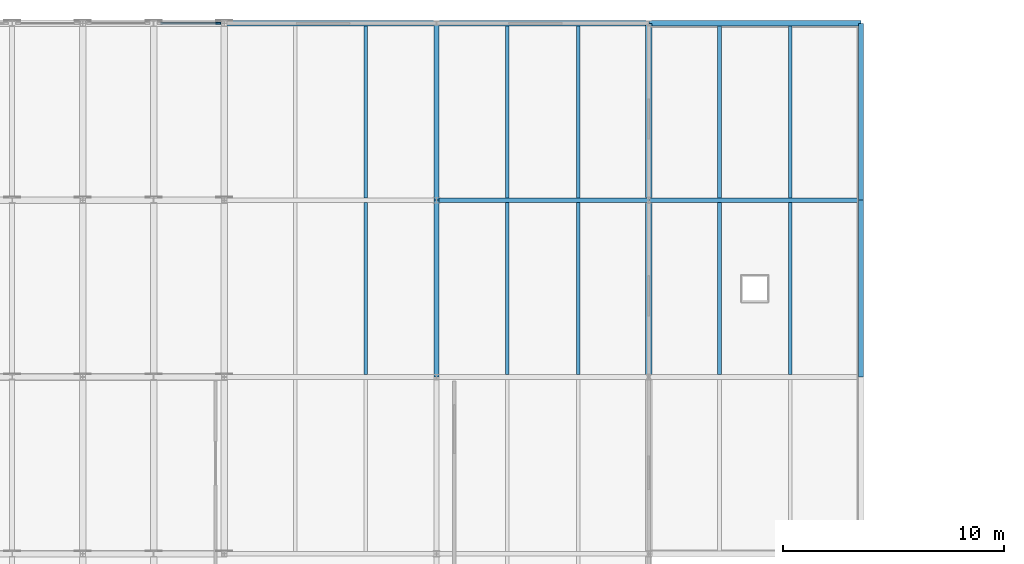
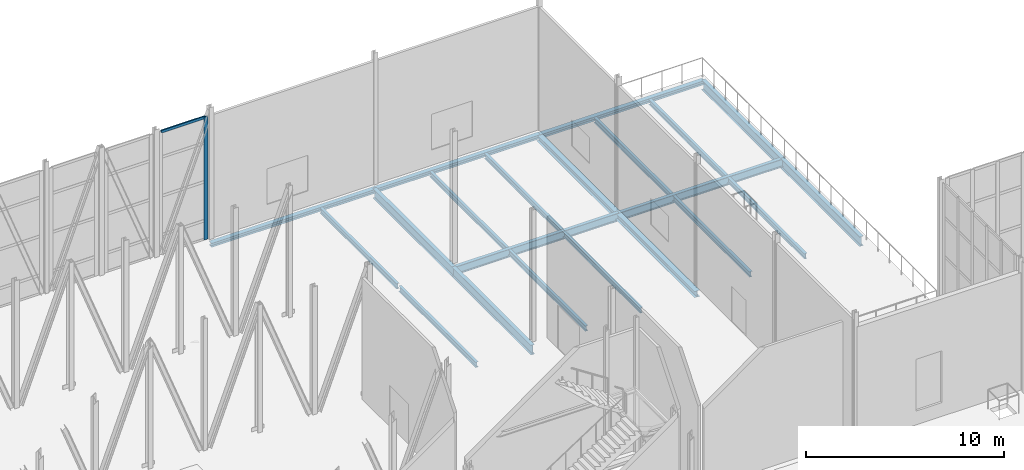
# One storey, part 45 of 73: 21 beams, 2 members, 1 element without a shape of its own.
"""IFC4 building model written with IfcOpenShell, lengths in metres."""

from ifc_helpers import new_model, si_unit, direction, frame, origin, origin_2d, place, context, subcontext, project, spatial, rectangle, i_section, extrude, material, layer, layer_set, material_profile, profile_set, type_object, element, aggregate, save


model = new_model("IFC4")

# Units and contexts
model_context = context("Model", 3, precision=1e-05, world=origin(), true_north=direction((0.0, 1.0)))
body_context = subcontext(model_context, "Body", "Model", "MODEL_VIEW")
ifc_project = project(units=[si_unit("LENGTHUNIT", "METRE"), si_unit("AREAUNIT", "SQUARE_METRE"), si_unit("VOLUMEUNIT", "CUBIC_METRE"), si_unit("PLANEANGLEUNIT", "RADIAN"), si_unit("MASSUNIT", "GRAM", prefix="KILO")], contexts=[model_context])

# Site, building, storey
site_placement = place(None, origin())
site = spatial("IfcSite", under=ifc_project, at=site_placement, CompositionType="ELEMENT")
building_placement = place(site_placement, origin())
building = spatial("IfcBuilding", under=site, at=building_placement, Name="Alderhovde Museum", CompositionType="ELEMENT")
storey_placement = place(building_placement, frame((0.0, 0.0, 17.39990234375)))
storey = spatial("IfcBuildingStorey", under=building, at=storey_placement, Name="L04", CompositionType="ELEMENT", Elevation=17.39990234375)

# Beams
ifc_material_1 = material(Name="Steel S355J2", Category="steel")
ifc_material_profile_1 = material_profile(ifc_material_1, i_section(OverallWidth=0.300048828125, OverallDepth=0.389892578125, WebThickness=0.010986328125, FlangeThickness=0.01904296875, FilletRadius=0.027099609375, at=origin_2d()), Name="HEA 400")
ifc_profile_set_1 = profile_set([ifc_material_profile_1], Name="Steel S355J2")
beam_type_1 = type_object("IfcBeamType", Name="BM-HEA400", PredefinedType="BEAM", material=ifc_profile_set_1)
for number, where, z_axis, x_axis, name in (
    (1, (48.0, 96.0, -0.494873046875), (0.0, 1.0, 0.0), (-1.0, 0.0, 0.0), "L04 Grid Beam X=48.0 (96.0 TO 104.0)"),
    (2, (48.0, 104.0, -0.494873046875), (0.0, 1.0, 0.0), (-1.0, 0.0, 0.0), "L04 Grid Beam X=48.0 (104.0 TO 112.0)"),
):
    element("IfcBeam", number, at=place(storey_placement, frame(where, z_axis=z_axis, x_axis=x_axis)), inside=storey, type_object=beam_type_1, Name=name, PredefinedType="BEAM", context=body_context, shape_type="SweptSolid", body=[
        extrude(i_section(OverallWidth=0.300048828125, OverallDepth=0.389892578125, WebThickness=0.010986328125, FlangeThickness=0.01904296875, FilletRadius=0.027099609375, at=origin_2d()), origin(), (0.0, 0.0, 1.0), 8.0),
    ])
ifc_material_2 = material(Name="Steel S355J2", Category="steel")
ifc_material_profile_2 = material_profile(ifc_material_2, i_section(OverallWidth=0.199951171875, OverallDepth=0.5, WebThickness=0.01025390625, FlangeThickness=0.01611328125, FilletRadius=0.02099609375, at=origin_2d()), Name="IPE 500")
ifc_profile_set_2 = profile_set([ifc_material_profile_2], Name="Steel S355J2")
beam_type_2 = type_object("IfcBeamType", Name="BM-IPE500", PredefinedType="BEAM", material=ifc_profile_set_2)
for number, where, z_axis, x_axis, name in (
    (3, (38.39990234375, 104.0, -0.52978515625), (1.0, 0.0, 0.0), (0.0, 1.0, 0.0), "L04 Grid Beam Y=104.0 (38.4 TO 48.0)"),
    (4, (48.0, 104.0, -0.5498046875), (1.0, 0.0, 0.0), (0.0, 1.0, 0.0), "L04 Grid Beam Y=104.0 (48.0 TO 57.6)"),
):
    element("IfcBeam", number, at=place(storey_placement, frame(where, z_axis=z_axis, x_axis=x_axis)), inside=storey, type_object=beam_type_2, Name=name, PredefinedType="BEAM", context=body_context, shape_type="SweptSolid", body=[
        extrude(i_section(OverallWidth=0.199951171875, OverallDepth=0.5, WebThickness=0.01025390625, FlangeThickness=0.01611328125, FilletRadius=0.02099609375, at=origin_2d()), origin(), (0.0, 0.0, 1.0), 9.60009765625),
    ])
ifc_material_3 = material(Name="Steel S355J2", Category="steel")
ifc_material_profile_3 = material_profile(ifc_material_3, i_section(OverallWidth=0.219970703125, OverallDepth=0.60009765625, WebThickness=0.011962890625, FlangeThickness=0.01904296875, FilletRadius=0.02392578125, at=origin_2d()), Name="IPE 600")
ifc_profile_set_3 = profile_set([ifc_material_profile_3], Name="Steel S355J2")
beam_type_3 = type_object("IfcBeamType", Name="BM-IPE600", PredefinedType="BEAM", material=ifc_profile_set_3)
for number, where, z_axis, x_axis, name in (
    (5, (38.39990234375, 96.0, -0.579833984375), (0.0, 1.0, 0.0), (-1.0, 0.0, 0.0), "L04 Grid Beam X=38.4 (96.0 TO 104.0)"),
    (6, (38.39990234375, 104.0, -0.579833984375), (0.0, 1.0, 0.0), (-1.0, 0.0, 0.0), "L04 Grid Beam X=38.4 (104.0 TO 112.0)"),
    (7, (57.60009765625, 96.0, -0.599853515625), (0.0, 1.0, 0.0), (-1.0, 0.0, 0.0), "L04 Grid Beam X=57.6 (96.0 TO 104.0)"),
    (8, (57.60009765625, 104.0, -0.599853515625), (0.0, 1.0, 0.0), (-1.0, 0.0, 0.0), "L04 Grid Beam X=57.6 (104.0 TO 112.0)"),
):
    element("IfcBeam", number, at=place(storey_placement, frame(where, z_axis=z_axis, x_axis=x_axis)), inside=storey, type_object=beam_type_3, Name=name, PredefinedType="BEAM", context=body_context, shape_type="SweptSolid", body=[
        extrude(i_section(OverallWidth=0.219970703125, OverallDepth=0.60009765625, WebThickness=0.011962890625, FlangeThickness=0.01904296875, FilletRadius=0.02392578125, at=origin_2d()), origin(), (0.0, 0.0, 1.0), 8.0),
    ])

# Curtain wall, members
ifc_material_4 = material(Name="Triple-Glazed Bronze-Anodised Curtain Wall", Category="glass")
ifc_layer = layer(ifc_material_4, 0.219970703125)
ifc_layer_set = layer_set([ifc_layer], Name="Triple-Glazed Bronze-Anodised Curtain Wall")
curtain_wall_type = type_object("IfcCurtainWallType", Name="CW-UNIT-272x760", PredefinedType="USERDEFINED", material=ifc_layer_set)
curtain_wall_placement = place(storey_placement, origin())
curtain_wall = element("IfcCurtainWall", 9, at=curtain_wall_placement, inside=storey, type_object=curtain_wall_type, Name="L04 Unitised Curtain Wall 130", ObjectType="UNITISED CURTAIN WALL", PredefinedType="USERDEFINED")
ifc_material_5 = material(Name="Bronze-Anodised Aluminium EN AW-6063-T6", Category="aluminium")
ifc_material_profile_4 = material_profile(ifc_material_5, rectangle(XDim=0.074951171875, YDim=0.219970703125, at=origin_2d()), Name="MULLION 75x220")
ifc_profile_set_4 = profile_set([ifc_material_profile_4], Name="Bronze-Anodised Aluminium EN AW-6063-T6")
member_type_1 = type_object("IfcMemberType", Name="CWM-75x220", PredefinedType="MULLION", material=ifc_profile_set_4)
member_1_placement = place(storey_placement, frame((28.5224609375, 112.0, 0.0), z_axis=(0.0, 0.0, 1.0), x_axis=(0.0, 1.0, 0.0)))
member_1 = element("IfcMember", 10, at=member_1_placement, type_object=member_type_1, Name="CW30 mullion 2", PredefinedType="MULLION", context=body_context, shape_type="SweptSolid", body=[
    extrude(rectangle(XDim=0.074951171875, YDim=0.219970703125, at=origin_2d()), origin(), (0.0, 0.0, 1.0), 7.60009765625),
])
ifc_material_6 = material(Name="Bronze-Anodised Aluminium EN AW-6063-T6", Category="aluminium")
ifc_material_profile_5 = material_profile(ifc_material_6, rectangle(XDim=0.074951171875, YDim=0.159912109375, at=origin_2d()), Name="TRANSOM 75x160")
ifc_profile_set_5 = profile_set([ifc_material_profile_5], Name="Bronze-Anodised Aluminium EN AW-6063-T6")
member_type_2 = type_object("IfcMemberType", Name="CWT-75x160", PredefinedType="USERDEFINED", material=ifc_profile_set_5)
member_2_placement = place(storey_placement, frame((25.9150390625, 112.0, 7.5625), z_axis=(1.0, 0.0, 0.0), x_axis=(0.0, 1.0, 0.0)))
member_2 = element("IfcMember", 11, at=member_2_placement, type_object=member_type_2, Name="CW30 transom 1.5", ObjectType="TRANSOM", PredefinedType="USERDEFINED", context=body_context, shape_type="SweptSolid", body=[
    extrude(rectangle(XDim=0.074951171875, YDim=0.159912109375, at=origin_2d()), origin(), (0.0, 0.0, 1.0), 2.570068359375),
])
aggregate(curtain_wall, [member_1, member_2])

# Beams
ifc_material_7 = material(Name="Steel S355J2", Category="steel")
ifc_material_profile_6 = material_profile(ifc_material_7, i_section(OverallWidth=0.159912109375, OverallDepth=0.330078125, WebThickness=0.007568359375, FlangeThickness=0.011474609375, FilletRadius=0.01806640625, at=origin_2d()), Name="IPE 330")
ifc_profile_set_6 = profile_set([ifc_material_profile_6], Name="Steel S355J2")
beam_type_4 = type_object("IfcBeamType", Name="JST-IPE330", PredefinedType="JOIST", material=ifc_profile_set_6)
beam_1_placement = place(storey_placement, frame((35.199951171875, 96.10498046875, -0.44482421875), z_axis=(0.0, 1.0, 0.0), x_axis=(-1.0, 0.0, 0.0)))
element("IfcBeam", 12, at=beam_1_placement, inside=storey, type_object=beam_type_4, Name="L04 Composite Joist X=35.2 (96.0 TO 104.0)", PredefinedType="JOIST", context=body_context, shape_type="SweptSolid", body=[
    extrude(i_section(OverallWidth=0.159912109375, OverallDepth=0.330078125, WebThickness=0.007568359375, FlangeThickness=0.011474609375, FilletRadius=0.01806640625, at=origin_2d()), origin(), (0.0, 0.0, 1.0), 7.794921875),
])
beam_2_placement = place(storey_placement, frame((35.199951171875, 104.10009765625, -0.44482421875), z_axis=(0.0, 1.0, 0.0), x_axis=(-1.0, 0.0, 0.0)))
element("IfcBeam", 13, at=beam_2_placement, inside=storey, type_object=beam_type_4, Name="L04 Composite Joist X=35.2 (104.0 TO 112.0)", PredefinedType="JOIST", context=body_context, shape_type="SweptSolid", body=[
    extrude(i_section(OverallWidth=0.159912109375, OverallDepth=0.330078125, WebThickness=0.007568359375, FlangeThickness=0.011474609375, FilletRadius=0.01806640625, at=origin_2d()), origin(), (0.0, 0.0, 1.0), 7.77001953125),
])
for number, where, z_axis, x_axis, name in (
    (14, (41.60009765625, 96.10498046875, -0.44482421875), (0.0, 1.0, 0.0), (-1.0, 0.0, 0.0), "L04 Composite Joist X=41.6 (96.0 TO 104.0)"),
    (15, (44.800048828125, 96.10498046875, -0.44482421875), (0.0, 1.0, 0.0), (-1.0, 0.0, 0.0), "L04 Composite Joist X=44.8 (96.0 TO 104.0)"),
):
    element("IfcBeam", number, at=place(storey_placement, frame(where, z_axis=z_axis, x_axis=x_axis)), inside=storey, type_object=beam_type_4, Name=name, PredefinedType="JOIST", context=body_context, shape_type="SweptSolid", body=[
        extrude(i_section(OverallWidth=0.159912109375, OverallDepth=0.330078125, WebThickness=0.007568359375, FlangeThickness=0.011474609375, FilletRadius=0.01806640625, at=origin_2d()), origin(), (0.0, 0.0, 1.0), 7.794921875),
    ])
for number, where, z_axis, x_axis, name in (
    (16, (41.60009765625, 104.10009765625, -0.44482421875), (0.0, 1.0, 0.0), (-1.0, 0.0, 0.0), "L04 Composite Joist X=41.6 (104.0 TO 112.0)"),
    (17, (44.800048828125, 104.10009765625, -0.44482421875), (0.0, 1.0, 0.0), (-1.0, 0.0, 0.0), "L04 Composite Joist X=44.8 (104.0 TO 112.0)"),
):
    element("IfcBeam", number, at=place(storey_placement, frame(where, z_axis=z_axis, x_axis=x_axis)), inside=storey, type_object=beam_type_4, Name=name, PredefinedType="JOIST", context=body_context, shape_type="SweptSolid", body=[
        extrude(i_section(OverallWidth=0.159912109375, OverallDepth=0.330078125, WebThickness=0.007568359375, FlangeThickness=0.011474609375, FilletRadius=0.01806640625, at=origin_2d()), origin(), (0.0, 0.0, 1.0), 7.77001953125),
    ])
for number, where, z_axis, x_axis, name in (
    (18, (51.199951171875, 96.10498046875, -0.46484375), (0.0, 1.0, 0.0), (-1.0, 0.0, 0.0), "L04 Composite Joist X=51.2 (96.0 TO 104.0)"),
    (19, (54.39990234375, 96.10498046875, -0.46484375), (0.0, 1.0, 0.0), (-1.0, 0.0, 0.0), "L04 Composite Joist X=54.4 (96.0 TO 104.0)"),
):
    element("IfcBeam", number, at=place(storey_placement, frame(where, z_axis=z_axis, x_axis=x_axis)), inside=storey, type_object=beam_type_4, Name=name, PredefinedType="JOIST", context=body_context, shape_type="SweptSolid", body=[
        extrude(i_section(OverallWidth=0.159912109375, OverallDepth=0.330078125, WebThickness=0.007568359375, FlangeThickness=0.011474609375, FilletRadius=0.01806640625, at=origin_2d()), origin(), (0.0, 0.0, 1.0), 7.794921875),
    ])
for number, where, z_axis, x_axis, name in (
    (20, (51.199951171875, 104.10009765625, -0.46484375), (0.0, 1.0, 0.0), (-1.0, 0.0, 0.0), "L04 Composite Joist X=51.2 (104.0 TO 112.0)"),
    (21, (54.39990234375, 104.10009765625, -0.46484375), (0.0, 1.0, 0.0), (-1.0, 0.0, 0.0), "L04 Composite Joist X=54.4 (104.0 TO 112.0)"),
):
    element("IfcBeam", number, at=place(storey_placement, frame(where, z_axis=z_axis, x_axis=x_axis)), inside=storey, type_object=beam_type_4, Name=name, PredefinedType="JOIST", context=body_context, shape_type="SweptSolid", body=[
        extrude(i_section(OverallWidth=0.159912109375, OverallDepth=0.330078125, WebThickness=0.007568359375, FlangeThickness=0.011474609375, FilletRadius=0.01806640625, at=origin_2d()), origin(), (0.0, 0.0, 1.0), 7.77001953125),
    ])
ifc_material_8 = material(Name="Steel S355J2", Category="steel")
ifc_material_profile_7 = material_profile(ifc_material_8, i_section(OverallWidth=0.260009765625, OverallDepth=0.25, WebThickness=0.007568359375, FlangeThickness=0.012451171875, FilletRadius=0.02392578125, at=origin_2d()), Name="HEA 260")
ifc_profile_set_7 = profile_set([ifc_material_profile_7], Name="Steel S355J2")
beam_type_5 = type_object("IfcBeamType", Name="SPD-HEA260", PredefinedType="SPANDREL", material=ifc_profile_set_7)
beam_3_placement = place(storey_placement, frame((28.800048828125, 112.0, -0.40478515625), z_axis=(1.0, 0.0, 0.0), x_axis=(0.0, 1.0, 0.0)))
element("IfcBeam", 22, at=beam_3_placement, inside=storey, type_object=beam_type_5, Name="L04 Grid Beam Y=112.0 (28.8 TO 38.4)", PredefinedType="SPANDREL", context=body_context, shape_type="SweptSolid", body=[
    extrude(i_section(OverallWidth=0.260009765625, OverallDepth=0.25, WebThickness=0.007568359375, FlangeThickness=0.012451171875, FilletRadius=0.02392578125, at=origin_2d()), origin(), (0.0, 0.0, 1.0), 9.599853515625),
])
for number, where, z_axis, x_axis, name in (
    (23, (38.39990234375, 112.0, -0.40478515625), (1.0, 0.0, 0.0), (0.0, 1.0, 0.0), "L04 Grid Beam Y=112.0 (38.4 TO 48.0)"),
    (24, (48.0, 112.0, -0.4248046875), (1.0, 0.0, 0.0), (0.0, 1.0, 0.0), "L04 Grid Beam Y=112.0 (48.0 TO 57.6)"),
):
    element("IfcBeam", number, at=place(storey_placement, frame(where, z_axis=z_axis, x_axis=x_axis)), inside=storey, type_object=beam_type_5, Name=name, PredefinedType="SPANDREL", context=body_context, shape_type="SweptSolid", body=[
        extrude(i_section(OverallWidth=0.260009765625, OverallDepth=0.25, WebThickness=0.007568359375, FlangeThickness=0.012451171875, FilletRadius=0.02392578125, at=origin_2d()), origin(), (0.0, 0.0, 1.0), 9.60009765625),
    ])

save(model, "model.ifc")
